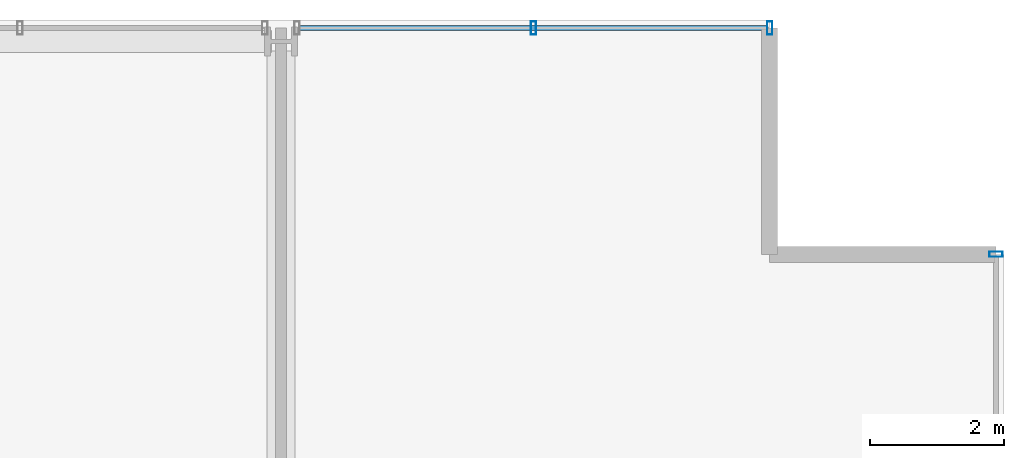
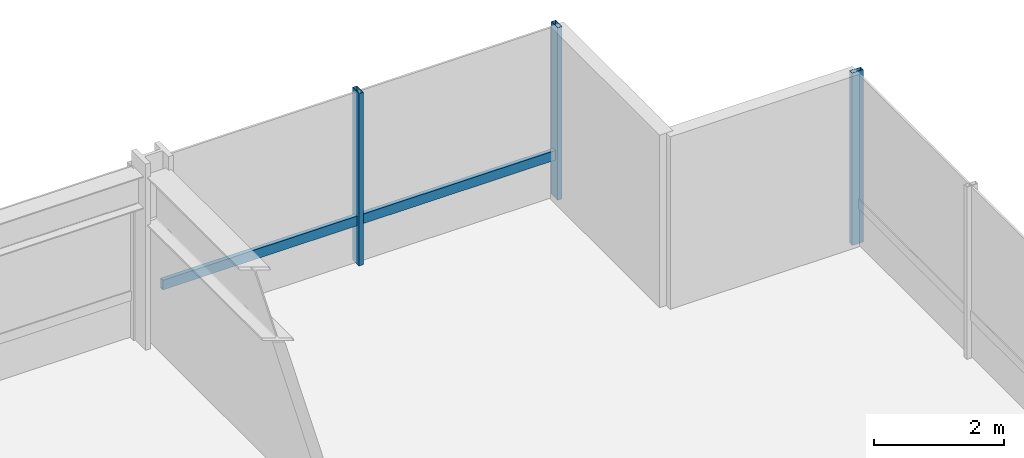
# One storey, part 28 of 38: 4 members, 2 elements without a shape of their own.
"""IFC4 building model written with IfcOpenShell, lengths in metres."""

from ifc_helpers import new_model, si_unit, direction, frame, origin, origin_2d, place, context, subcontext, project, spatial, hollow_rectangle, extrude, material, layer, layer_set, material_profile, profile_set, type_object, element, aggregate, save


model = new_model("IFC4")

# Units and contexts
model_context = context("Model", 3, precision=1e-05, world=origin(), true_north=direction((0.0, 1.0)))
body_context = subcontext(model_context, "Body", "Model", "MODEL_VIEW")
ifc_project = project(units=[si_unit("LENGTHUNIT", "METRE"), si_unit("AREAUNIT", "SQUARE_METRE"), si_unit("VOLUMEUNIT", "CUBIC_METRE"), si_unit("PLANEANGLEUNIT", "RADIAN"), si_unit("MASSUNIT", "GRAM", prefix="KILO")], contexts=[model_context])

# Site, building, storey
site_placement = place(None, origin())
site = spatial("IfcSite", under=ifc_project, at=site_placement, CompositionType="ELEMENT")
building_placement = place(site_placement, origin())
building = spatial("IfcBuilding", under=site, at=building_placement, Name="Drelvath Grand Hotel", CompositionType="ELEMENT")
storey_placement = place(building_placement, frame((0.0, 0.0, 57.699951171875)))
storey = spatial("IfcBuildingStorey", under=building, at=storey_placement, Name="L13", CompositionType="ELEMENT", Elevation=57.699951171875)

# Curtain wall, member
ifc_material = material(Name="Warm Bronze Anodised Aluminium Frame", Category="aluminium")
ifc_layer = layer(ifc_material, 0.199951171875)
ifc_layer_set = layer_set([ifc_layer], Name="Warm Bronze Anodised Aluminium Frame")
curtain_wall_type = type_object("IfcCurtainWallType", Name="Stick Curtain Wall CW-02 Warm Bronze Low-Rise", PredefinedType="NOTDEFINED", material=ifc_layer_set)
curtain_wall_1_placement = place(storey_placement, origin())
curtain_wall_1 = element("IfcCurtainWall", 1, at=curtain_wall_1_placement, inside=storey, type_object=curtain_wall_type, Name="L13 CW-02 Curtain Wall CW02-L13-NE3", PredefinedType="NOTDEFINED")
ifc_material_profile_1 = material_profile(ifc_material, hollow_rectangle(XDim=0.074951171875, YDim=0.179931640625, WallThickness=0.0048828125, at=origin_2d()), Name="HSS180X75X5")
ifc_profile_set_1 = profile_set([ifc_material_profile_1], Name="Warm Bronze Anodised Aluminium Frame")
member_type_1 = type_object("IfcMemberType", Name="Curtain Wall Horizontal Transom CW-02 HSS180X75X5", PredefinedType="USERDEFINED", material=ifc_profile_set_1)
member_1_placement = place(storey_placement, frame((16.48095703125, 53.8798828125, 0.81005859375), z_axis=(1.0, 0.0, 0.0), x_axis=(0.0, 1.0, 0.0)))
member_1 = element("IfcMember", 2, at=member_1_placement, type_object=member_type_1, Name="CW02-L13-NE3 Sill Transom", ObjectType="TRANSOM", PredefinedType="USERDEFINED", context=body_context, shape_type="SweptSolid", body=[
    extrude(hollow_rectangle(XDim=0.074951171875, YDim=0.179931640625, WallThickness=0.0048828125, at=origin_2d()), origin(), (0.0, 0.0, 1.0), 6.97900390625),
])

curtain_wall_2_placement = place(storey_placement, origin())
curtain_wall_2 = element("IfcCurtainWall", 3, at=curtain_wall_2_placement, inside=storey, type_object=curtain_wall_type, Name="L13 CW-02 Curtain Wall CW02-L13-EN3", PredefinedType="NOTDEFINED")
ifc_material_profile_2 = material_profile(ifc_material, hollow_rectangle(XDim=0.080078125, YDim=0.199951171875, WallThickness=0.0048828125, at=origin_2d()), Name="HSS200X80X5")
ifc_profile_set_2 = profile_set([ifc_material_profile_2], Name="Warm Bronze Anodised Aluminium Frame")
member_type_2 = type_object("IfcMemberType", Name="Curtain Wall Vertical Mullion CW-02 HSS200X80X5", PredefinedType="MULLION", material=ifc_profile_set_2)
member_2_placement = place(storey_placement, frame((26.8798828125, 50.5, 0.0), z_axis=(0.0, 0.0, 1.0), x_axis=(0.0, 1.0, 0.0)))
member_2 = element("IfcMember", 4, at=member_2_placement, type_object=member_type_2, Name="CW02-L13-EN3 Mullion 1", PredefinedType="MULLION", context=body_context, shape_type="SweptSolid", body=[
    extrude(hollow_rectangle(XDim=0.080078125, YDim=0.199951171875, WallThickness=0.0048828125, at=origin_2d()), origin(), (0.0, 0.0, 1.0), 3.239990234375),
])
aggregate(curtain_wall_2, [member_2])

# Member
member_3_placement = place(storey_placement, frame((19.970458984375, 53.8798828125, 0.0), z_axis=(0.0, 0.0, 1.0), x_axis=(1.0, 0.0, 0.0)))
member_3 = element("IfcMember", 5, at=member_3_placement, type_object=member_type_2, Name="CW02-L13-NE3 Mullion 2", PredefinedType="MULLION", context=body_context, shape_type="SweptSolid", body=[
    extrude(hollow_rectangle(XDim=0.080078125, YDim=0.199951171875, WallThickness=0.0048828125, at=origin_2d()), origin(), (0.0, 0.0, 1.0), 3.239990234375),
])

member_4_placement = place(storey_placement, frame((23.5, 53.8798828125, 0.0), z_axis=(0.0, 0.0, 1.0), x_axis=(1.0, 0.0, 0.0)))
member_4 = element("IfcMember", 6, at=member_4_placement, type_object=member_type_2, Name="CW02-L13-NE3 Mullion 3", PredefinedType="MULLION", context=body_context, shape_type="SweptSolid", body=[
    extrude(hollow_rectangle(XDim=0.080078125, YDim=0.199951171875, WallThickness=0.0048828125, at=origin_2d()), origin(), (0.0, 0.0, 1.0), 3.239990234375),
])

aggregate(curtain_wall_1, [member_3, member_4, member_1])

save(model, "model.ifc")
